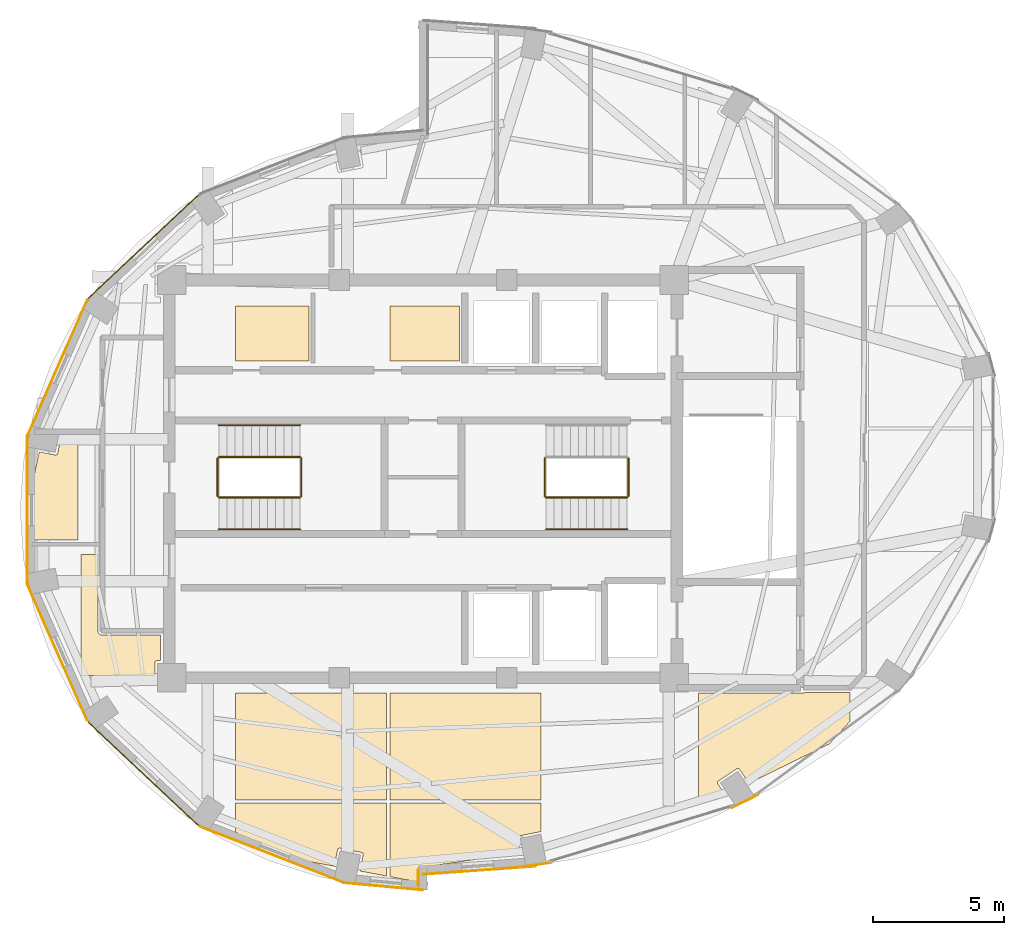
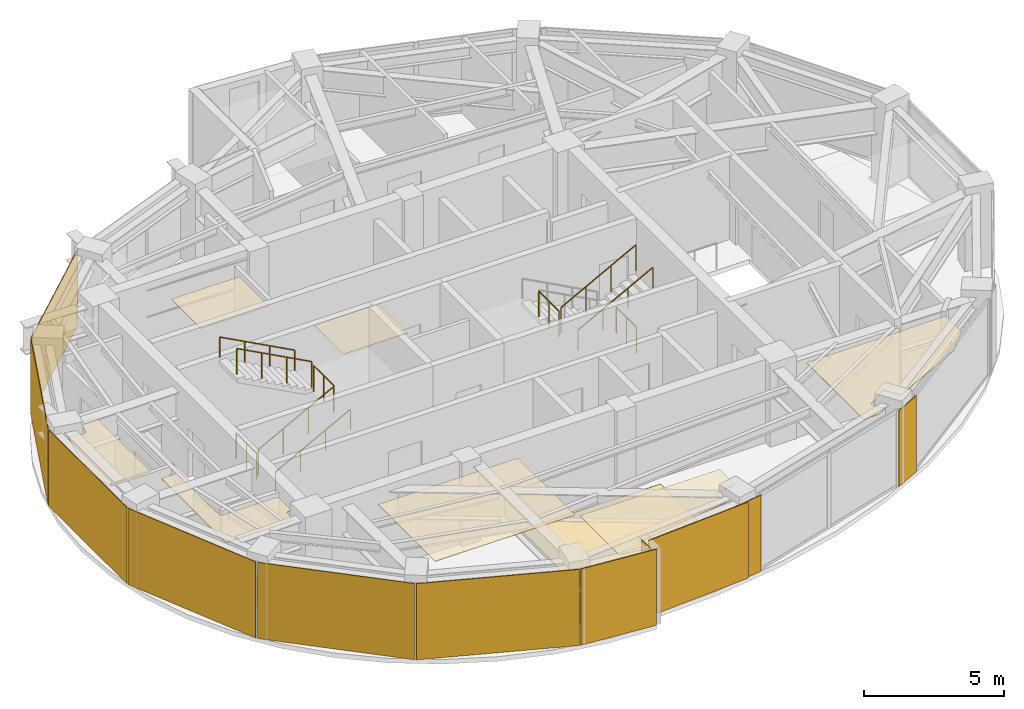
# One storey, part 12 of 13: 21 coverings, 10 railings.
"""IFC4 building model written with IfcOpenShell, lengths in metres."""

from ifc_helpers import new_model, si_unit, direction, frame, origin, origin_2d, place, context, subcontext, project, spatial, polyline, rectangle, circle, outline, extrude, material, layer, layer_set, type_object, element, save


model = new_model("IFC4")

# Units and contexts
model_context = context("Model", 3, precision=1e-05, world=origin(), true_north=direction((0.0, 1.0)))
body_context = subcontext(model_context, "Body", "Model", "MODEL_VIEW")
ifc_project = project(units=[si_unit("LENGTHUNIT", "METRE"), si_unit("AREAUNIT", "SQUARE_METRE"), si_unit("VOLUMEUNIT", "CUBIC_METRE"), si_unit("PLANEANGLEUNIT", "RADIAN"), si_unit("MASSUNIT", "GRAM", prefix="KILO")], contexts=[model_context])

# Site, building, storey
site_placement = place(None, origin())
site = spatial("IfcSite", under=ifc_project, at=site_placement, CompositionType="ELEMENT")
building_placement = place(site_placement, origin())
building = spatial("IfcBuilding", under=site, at=building_placement, Name="Lazwardi Medical Tower", CompositionType="ELEMENT")
storey_placement = place(building_placement, frame((0.0, 0.0, 298.800048828125)))
storey = spatial("IfcBuildingStorey", under=building, at=storey_placement, Name="L78", CompositionType="ELEMENT", Elevation=298.800048828125)

# Coverings
ifc_material_1 = material(Name="Anodised bronze aluminium cassette cladding", Category="aluminium")
ifc_layer_1 = layer(ifc_material_1, 0.030029296875)
ifc_layer_set_1 = layer_set([ifc_layer_1], Name="Anodised bronze aluminium cassette cladding")
covering_type_1 = type_object("IfcCoveringType", Name="COV-CLD-BRZ", PredefinedType="CLADDING", material=ifc_layer_set_1)
covering_1_placement = place(storey_placement, frame((40.3232421875, 13.25048828125, 0.0), z_axis=(0.0, 0.0, 1.0), x_axis=(0.989512431533, 0.144447733943, 0.0)))
element("IfcCovering", 1, at=covering_1_placement, inside=storey, type_object=covering_type_1, Name="L78 Mega-column bronze cassette cover M01", PredefinedType="CLADDING", context=body_context, shape_type="SweptSolid", body=[
    extrude(rectangle(XDim=1.188720703125, YDim=0.030029296875, at=origin_2d()), origin(), (0.0, 0.0, 1.0), 3.327880859375),
])
covering_2_placement = place(storey_placement, frame((48.311279296875, 15.6787109375, 0.0), z_axis=(0.0, 0.0, 1.0), x_axis=(0.897840141691, 0.440321564278, 0.0)))
element("IfcCovering", 2, at=covering_2_placement, inside=storey, type_object=covering_type_1, Name="L78 Mega-column bronze cassette cover M02", PredefinedType="CLADDING", context=body_context, shape_type="SweptSolid", body=[
    extrude(rectangle(XDim=1.110595703125, YDim=0.030029296875, at=origin_2d()), origin(), (0.0, 0.0, 1.0), 3.327880859375),
])
covering_3_placement = place(storey_placement, frame((25.31201171875, 36.870361328125, 0.0), z_axis=(0.0, 0.0, 1.0), x_axis=(-0.728254960063, -0.685306291481, 0.0)))
element("IfcCovering", 3, at=covering_3_placement, inside=storey, type_object=covering_type_1, Name="L78 West drum ceramic/bronze cladding", PredefinedType="CLADDING", context=body_context, shape_type="SweptSolid", body=[
    extrude(rectangle(XDim=5.78125, YDim=0.030029296875, at=origin_2d()), origin(), (0.0, 0.0, 1.0), 3.327880859375),
])
covering_4_placement = place(storey_placement, frame((22.032470703125, 32.25146484375, 0.0), z_axis=(0.0, 0.0, 1.0), x_axis=(-0.402877682365, -0.915253829848, 0.0)))
element("IfcCovering", 4, at=covering_4_placement, inside=storey, type_object=covering_type_1, Name="L78 West drum ceramic/bronze cladding", PredefinedType="CLADDING", context=body_context, shape_type="SweptSolid", body=[
    extrude(rectangle(XDim=5.65576171875, YDim=0.030029296875, at=origin_2d()), origin(), (0.0, 0.0, 1.0), 3.327880859375),
])
covering_5_placement = place(storey_placement, frame((20.880126953125, 26.800048828125, 0.0), z_axis=(0.0, 0.0, 1.0), x_axis=(0.0, -1.0, 0.0)))
element("IfcCovering", 5, at=covering_5_placement, inside=storey, type_object=covering_type_1, Name="L78 West drum ceramic/bronze cladding", PredefinedType="CLADDING", context=body_context, shape_type="SweptSolid", body=[
    extrude(rectangle(XDim=5.60302734375, YDim=0.030029296875, at=origin_2d()), origin(), (0.0, 0.0, 1.0), 3.327880859375),
])
covering_6_placement = place(storey_placement, frame((22.032470703125, 21.3486328125, 0.0), z_axis=(0.0, 0.0, 1.0), x_axis=(0.402877682365, -0.915253829848, 0.0)))
element("IfcCovering", 6, at=covering_6_placement, inside=storey, type_object=covering_type_1, Name="L78 West drum ceramic/bronze cladding", PredefinedType="CLADDING", context=body_context, shape_type="SweptSolid", body=[
    extrude(rectangle(XDim=5.65576171875, YDim=0.030029296875, at=origin_2d()), origin(), (0.0, 0.0, 1.0), 3.327880859375),
])
covering_7_placement = place(storey_placement, frame((25.31201171875, 16.7294921875, 0.0), z_axis=(0.0, 0.0, 1.0), x_axis=(0.728254960063, -0.685306291481, 0.0)))
element("IfcCovering", 7, at=covering_7_placement, inside=storey, type_object=covering_type_1, Name="L78 West drum ceramic/bronze cladding", PredefinedType="CLADDING", context=body_context, shape_type="SweptSolid", body=[
    extrude(rectangle(XDim=5.78125, YDim=0.030029296875, at=origin_2d()), origin(), (0.0, 0.0, 1.0), 3.327880859375),
])
ifc_material_2 = material(Name="Turquoise glazed ceramic tilework cladding", Category="masonry")
ifc_layer_2 = layer(ifc_material_2, 0.034912109375)
ifc_layer_set_2 = layer_set([ifc_layer_2], Name="Turquoise glazed ceramic tilework cladding")
covering_type_2 = type_object("IfcCoveringType", Name="COV-CLD-TRQ", PredefinedType="CLADDING", material=ifc_layer_set_2)
covering_8_placement = place(storey_placement, frame((30.216064453125, 13.64306640625, 0.0), z_axis=(0.0, 0.0, 1.0), x_axis=(0.931720388261, -0.363176428337, 0.0)))
element("IfcCovering", 8, at=covering_8_placement, inside=storey, type_object=covering_type_2, Name="L78 West drum ceramic/bronze cladding", PredefinedType="CLADDING", context=body_context, shape_type="SweptSolid", body=[
    extrude(rectangle(XDim=5.904052734375, YDim=0.034912109375, at=origin_2d()), origin(), (0.0, 0.0, 1.0), 3.327880859375),
])
covering_9_placement = place(storey_placement, frame((38.16259765625, 13.0400390625, 0.0), z_axis=(0.0, 0.0, 1.0), x_axis=(0.997409491337, 0.071932653157, 0.0)))
element("IfcCovering", 9, at=covering_9_placement, inside=storey, type_object=covering_type_2, Name="L78 Turquoise glazed ceramic tilework cladding", PredefinedType="CLADDING", context=body_context, shape_type="SweptSolid", body=[
    extrude(rectangle(XDim=4.31103515625, YDim=0.034912109375, at=origin_2d()), origin(), (0.0, 0.0, 1.0), 3.327880859375),
])
covering_10_placement = place(storey_placement, frame((34.4970703125, 12.423095703125, 0.0), z_axis=(0.0, 0.0, 1.0), x_axis=(0.995733560537, -0.092275004312, 0.0)))
element("IfcCovering", 10, at=covering_10_placement, inside=storey, type_object=covering_type_2, Name="L78 Turquoise glazed ceramic tilework cladding", PredefinedType="CLADDING", context=body_context, shape_type="SweptSolid", body=[
    extrude(rectangle(XDim=2.985595703125, YDim=0.034912109375, at=origin_2d()), origin(), (0.0, 0.0, 1.0), 3.327880859375),
])
covering_11_placement = place(storey_placement, frame((35.824462890625, 12.760009765625, 0.0), z_axis=(0.0, 0.0, 1.0), x_axis=(0.0, 1.0, 0.0)))
element("IfcCovering", 11, at=covering_11_placement, inside=storey, type_object=covering_type_2, Name="L78 Turquoise glazed ceramic tilework iwan panel", PredefinedType="CLADDING", context=body_context, shape_type="SweptSolid", body=[
    extrude(rectangle(XDim=0.60009765625, YDim=0.034912109375, at=origin_2d()), origin(), (0.0, 0.0, 1.0), 3.327880859375),
])
ifc_material_3 = material(Name="Acoustic mineral fibre tile")
ifc_layer_3 = layer(ifc_material_3, 0.02490234375)
ifc_layer_set_3 = layer_set([ifc_layer_3], Name="Acoustic mineral fibre tile")
covering_type_3 = type_object("IfcCoveringType", Name="COV-CLG-01", PredefinedType="CEILING", material=ifc_layer_set_3)
covering_12_placement = place(storey_placement, frame((0.0, 0.0, 3.182861328125)))
element("IfcCovering", 12, at=covering_12_placement, inside=storey, type_object=covering_type_3, Name="L78 Clinical Acoustic Ceiling 1", PredefinedType="CEILING", context=body_context, shape_type="SweptSolid", body=[
    extrude(outline(polyline([(22.811767578125, 29.60009765625), (22.164794921875, 29.60009765625), (22.0400390625, 28.97314453125), (22.0380859375, 28.965576171875), (22.035400390625, 28.9580078125), (22.031982421875, 28.950927734375), (22.028076171875, 28.9443359375), (22.023193359375, 28.93798828125), (22.01806640625, 28.93212890625), (22.01220703125, 28.927001953125), (22.005859375, 28.922119140625), (21.999267578125, 28.918212890625), (21.9921875, 28.914794921875), (21.984619140625, 28.912109375), (21.97705078125, 28.91015625), (21.96923828125, 28.9091796875), (21.96142578125, 28.90869140625), (21.95361328125, 28.9091796875), (21.94580078125, 28.91015625), (21.33349609375, 29.031982421875), (20.86181640625, 26.800048828125), (21.101806640625, 25.6650390625), (22.811767578125, 25.6650390625), (22.811767578125, 29.60009765625)])), origin(), (0.0, 0.0, 1.0), 0.025146484375),
])
covering_13_placement = place(storey_placement, frame((0.0, 0.0, 3.182861328125)))
element("IfcCovering", 13, at=covering_13_placement, inside=storey, type_object=covering_type_3, Name="L78 Clinical Acoustic Ceiling 2", PredefinedType="CEILING", context=body_context, shape_type="SweptSolid", body=[
    extrude(outline(polyline([(25.75, 20.476318359375), (25.75, 20.969970703125), (25.75048828125, 20.977783203125), (25.75146484375, 20.985595703125), (25.75341796875, 20.9931640625), (25.756103515625, 21.00048828125), (25.759521484375, 21.0078125), (25.763427734375, 21.014404296875), (25.768310546875, 21.020751953125), (25.7734375, 21.026611328125), (25.779296875, 21.03173828125), (25.78564453125, 21.03662109375), (25.792236328125, 21.04052734375), (25.79931640625, 21.0439453125), (25.806884765625, 21.046630859375), (25.814453125, 21.048583984375), (25.822265625, 21.049560546875), (25.830078125, 21.050048828125), (25.969970703125, 21.050048828125), (25.969970703125, 22.02490234375), (23.75, 22.02490234375), (23.74560546875, 22.025146484375), (23.736328125, 22.025634765625), (23.7294921875, 22.0263671875), (23.72021484375, 22.027587890625), (23.7119140625, 22.029296875), (23.702880859375, 22.031494140625), (23.69580078125, 22.03369140625), (23.68701171875, 22.03662109375), (23.67919921875, 22.0400390625), (23.6708984375, 22.0439453125), (23.6640625, 22.047607421875), (23.656005859375, 22.052490234375), (23.6494140625, 22.056884765625), (23.641845703125, 22.0625), (23.63623046875, 22.067138671875), (23.62939453125, 22.0732421875), (23.623291015625, 22.079345703125), (23.6171875, 22.086181640625), (23.612548828125, 22.091796875), (23.60693359375, 22.099365234375), (23.602294921875, 22.10595703125), (23.59765625, 22.114013671875), (23.593994140625, 22.120849609375), (23.590087890625, 22.129150390625), (23.586669921875, 22.136962890625), (23.58349609375, 22.145751953125), (23.58154296875, 22.15283203125), (23.5791015625, 22.161865234375), (23.57763671875, 22.17041015625), (23.576416015625, 22.179443359375), (23.57568359375, 22.186279296875), (23.5751953125, 22.19580078125), (23.574951171875, 22.199951171875), (23.574951171875, 25.1064453125), (22.931884765625, 25.1064453125), (22.931884765625, 20.476318359375), (25.75, 20.476318359375)])), origin(), (0.0, 0.0, 1.0), 0.025146484375),
])
covering_14_placement = place(storey_placement, frame((0.0, 0.0, 3.182861328125)))
element("IfcCovering", 14, at=covering_14_placement, inside=storey, type_object=covering_type_3, Name="L78 Clinical Acoustic Ceiling 4", PredefinedType="CEILING", context=body_context, shape_type="SweptSolid", body=[
    extrude(outline(polyline([(34.61181640625, 19.820068359375), (28.831787109375, 19.820068359375), (28.831787109375, 15.726318359375), (34.61181640625, 15.726318359375), (34.61181640625, 19.820068359375)])), origin(), (0.0, 0.0, 1.0), 0.025146484375),
])
covering_15_placement = place(storey_placement, frame((0.0, 0.0, 3.182861328125)))
element("IfcCovering", 15, at=covering_15_placement, inside=storey, type_object=covering_type_3, Name="L78 Clinical Acoustic Ceiling 5", PredefinedType="CEILING", context=body_context, shape_type="SweptSolid", body=[
    extrude(outline(polyline([(28.831787109375, 32.5), (31.639892578125, 32.5), (31.639892578125, 34.6064453125), (28.831787109375, 34.6064453125), (28.831787109375, 32.5)])), origin(), (0.0, 0.0, 1.0), 0.025146484375),
])
covering_16_placement = place(storey_placement, frame((0.0, 0.0, 3.182861328125)))
element("IfcCovering", 16, at=covering_16_placement, inside=storey, type_object=covering_type_3, Name="L78 Clinical Acoustic Ceiling 6", PredefinedType="CEILING", context=body_context, shape_type="SweptSolid", body=[
    extrude(outline(polyline([(34.731689453125, 12.798583984375), (35.919921875, 12.576416015625), (35.919921875, 13.080078125), (35.92041015625, 13.087646484375), (35.92138671875, 13.09521484375), (35.923095703125, 13.1025390625), (35.92578125, 13.109619140625), (35.928955078125, 13.11669921875), (35.9326171875, 13.123291015625), (35.93701171875, 13.12939453125), (35.94189453125, 13.13525390625), (35.947509765625, 13.140380859375), (35.95361328125, 13.14501953125), (35.9599609375, 13.149169921875), (35.966796875, 13.152587890625), (35.9736328125, 13.155517578125), (35.98095703125, 13.15771484375), (35.988525390625, 13.1591796875), (39.723876953125, 13.703125), (39.6123046875, 14.26318359375), (39.611328125, 14.27099609375), (39.61083984375, 14.27880859375), (39.611328125, 14.28662109375), (39.6123046875, 14.29443359375), (39.6142578125, 14.302001953125), (39.616943359375, 14.309326171875), (39.620361328125, 14.31640625), (39.62451171875, 14.3232421875), (39.629150390625, 14.32958984375), (39.63427734375, 14.33544921875), (39.64013671875, 14.340576171875), (39.646484375, 14.34521484375), (39.6533203125, 14.349365234375), (39.660400390625, 14.352783203125), (39.667724609375, 14.35546875), (39.67529296875, 14.357421875), (40.4990234375, 14.521240234375), (40.5068359375, 14.522216796875), (40.51171875, 14.522705078125), (40.51171875, 15.6064453125), (34.731689453125, 15.6064453125), (34.731689453125, 12.798583984375)])), origin(), (0.0, 0.0, 1.0), 0.025146484375),
])
covering_17_placement = place(storey_placement, frame((0.0, 0.0, 3.182861328125)))
element("IfcCovering", 17, at=covering_17_placement, inside=storey, type_object=covering_type_3, Name="L78 Clinical Acoustic Ceiling 8", PredefinedType="CEILING", context=body_context, shape_type="SweptSolid", body=[
    extrude(outline(polyline([(52.311767578125, 19.844970703125), (50.60791015625, 19.844970703125), (50.606689453125, 19.843505859375), (50.600830078125, 19.838134765625), (50.594482421875, 19.83349609375), (50.587646484375, 19.829345703125), (50.58056640625, 19.826171875), (50.5732421875, 19.823486328125), (50.565673828125, 19.821533203125), (50.557861328125, 19.8203125), (50.550048828125, 19.820068359375), (46.53173828125, 19.820068359375), (46.53173828125, 15.726318359375), (47.146240234375, 15.726318359375), (47.5478515625, 15.9228515625), (47.267822265625, 16.342041015625), (47.263916015625, 16.348876953125), (47.260498046875, 16.35595703125), (47.2578125, 16.36328125), (47.255859375, 16.370849609375), (47.2548828125, 16.378662109375), (47.25439453125, 16.386474609375), (47.2548828125, 16.394287109375), (47.255859375, 16.402099609375), (47.2578125, 16.40966796875), (47.260498046875, 16.4169921875), (47.263916015625, 16.42431640625), (47.267822265625, 16.430908203125), (47.272705078125, 16.437255859375), (47.27783203125, 16.443115234375), (47.28369140625, 16.4482421875), (47.2900390625, 16.452880859375), (47.98828125, 16.919677734375), (47.9951171875, 16.923828125), (48.002197265625, 16.927001953125), (48.009521484375, 16.9296875), (48.01708984375, 16.931640625), (48.02490234375, 16.932861328125), (48.03271484375, 16.93310546875), (48.04052734375, 16.932861328125), (48.04833984375, 16.931640625), (48.055908203125, 16.9296875), (48.0634765625, 16.927001953125), (48.070556640625, 16.923828125), (48.0771484375, 16.919677734375), (48.08349609375, 16.9150390625), (48.08935546875, 16.909912109375), (48.094482421875, 16.904052734375), (48.099365234375, 16.897705078125), (48.454345703125, 16.3662109375), (51.521728515625, 17.86669921875), (52.311767578125, 18.732177734375), (52.311767578125, 19.844970703125)])), origin(), (0.0, 0.0, 1.0), 0.025146484375),
])
ifc_material_4 = material(Name="Anti-static hospital vinyl sheet flooring")
ifc_layer_4 = layer(ifc_material_4, 0.014892578125)
ifc_layer_set_4 = layer_set([ifc_layer_4], Name="Anti-static hospital vinyl sheet flooring")
covering_type_4 = type_object("IfcCoveringType", Name="COV-FLR-01", PredefinedType="FLOORING", material=ifc_layer_set_4)
covering_18_placement = place(storey_placement, origin())
element("IfcCovering", 18, at=covering_18_placement, inside=storey, type_object=covering_type_4, Name="L78 Clinical Vinyl Flooring 1", PredefinedType="FLOORING", context=body_context, shape_type="SweptSolid", body=[
    extrude(outline(polyline([(25.75, 20.476318359375), (25.75, 20.969970703125), (25.75048828125, 20.977783203125), (25.75146484375, 20.985595703125), (25.75341796875, 20.9931640625), (25.756103515625, 21.00048828125), (25.759521484375, 21.0078125), (25.763427734375, 21.014404296875), (25.768310546875, 21.020751953125), (25.7734375, 21.026611328125), (25.779296875, 21.03173828125), (25.78564453125, 21.03662109375), (25.792236328125, 21.04052734375), (25.79931640625, 21.0439453125), (25.806884765625, 21.046630859375), (25.814453125, 21.048583984375), (25.822265625, 21.049560546875), (25.830078125, 21.050048828125), (25.969970703125, 21.050048828125), (25.969970703125, 22.02490234375), (23.75, 22.02490234375), (23.74560546875, 22.025146484375), (23.736328125, 22.025634765625), (23.7294921875, 22.0263671875), (23.72021484375, 22.027587890625), (23.7119140625, 22.029296875), (23.702880859375, 22.031494140625), (23.69580078125, 22.03369140625), (23.68701171875, 22.03662109375), (23.67919921875, 22.0400390625), (23.6708984375, 22.0439453125), (23.6640625, 22.047607421875), (23.656005859375, 22.052490234375), (23.6494140625, 22.056884765625), (23.641845703125, 22.0625), (23.63623046875, 22.067138671875), (23.62939453125, 22.0732421875), (23.623291015625, 22.079345703125), (23.6171875, 22.086181640625), (23.612548828125, 22.091796875), (23.60693359375, 22.099365234375), (23.602294921875, 22.10595703125), (23.59765625, 22.114013671875), (23.593994140625, 22.120849609375), (23.590087890625, 22.129150390625), (23.586669921875, 22.136962890625), (23.58349609375, 22.145751953125), (23.58154296875, 22.15283203125), (23.5791015625, 22.161865234375), (23.57763671875, 22.17041015625), (23.576416015625, 22.179443359375), (23.57568359375, 22.186279296875), (23.5751953125, 22.19580078125), (23.574951171875, 22.199951171875), (23.574951171875, 25.1064453125), (22.931884765625, 25.1064453125), (22.931884765625, 20.476318359375), (25.75, 20.476318359375)])), origin(), (0.0, 0.0, 1.0), 0.014892578125),
])
covering_19_placement = place(storey_placement, origin())
element("IfcCovering", 19, at=covering_19_placement, inside=storey, type_object=covering_type_4, Name="L78 Clinical Vinyl Flooring 3", PredefinedType="FLOORING", context=body_context, shape_type="SweptSolid", body=[
    extrude(outline(polyline([(28.831787109375, 14.50927734375), (30.205322265625, 13.645751953125), (32.608642578125, 13.196044921875), (32.7333984375, 13.82373046875), (32.7353515625, 13.831298828125), (32.738037109375, 13.838623046875), (32.741455078125, 13.845703125), (32.74560546875, 13.8525390625), (32.750244140625, 13.85888671875), (32.75537109375, 13.86474609375), (32.76123046875, 13.869873046875), (32.767578125, 13.87451171875), (32.7744140625, 13.878662109375), (32.781494140625, 13.882080078125), (32.788818359375, 13.884765625), (32.79638671875, 13.88671875), (32.80419921875, 13.8876953125), (32.81201171875, 13.88818359375), (32.81982421875, 13.8876953125), (32.82763671875, 13.88671875), (33.6513671875, 13.72265625), (33.658935546875, 13.720703125), (33.66650390625, 13.718017578125), (33.673583984375, 13.71484375), (33.68017578125, 13.710693359375), (33.6865234375, 13.7060546875), (33.6923828125, 13.70068359375), (33.697509765625, 13.695068359375), (33.702392578125, 13.688720703125), (33.706298828125, 13.681884765625), (33.709716796875, 13.6748046875), (33.71240234375, 13.66748046875), (33.71435546875, 13.659912109375), (33.71533203125, 13.652099609375), (33.7158203125, 13.644287109375), (33.71533203125, 13.636474609375), (33.71435546875, 13.628662109375), (33.591552734375, 13.01220703125), (34.61181640625, 12.8212890625), (34.61181640625, 15.6064453125), (28.831787109375, 15.6064453125), (28.831787109375, 14.50927734375)])), origin(), (0.0, 0.0, 1.0), 0.014892578125),
])
covering_20_placement = place(storey_placement, origin())
element("IfcCovering", 20, at=covering_20_placement, inside=storey, type_object=covering_type_4, Name="L78 Clinical Vinyl Flooring 5", PredefinedType="FLOORING", context=body_context, shape_type="SweptSolid", body=[
    extrude(outline(polyline([(40.51171875, 19.820068359375), (34.731689453125, 19.820068359375), (34.731689453125, 15.726318359375), (40.51171875, 15.726318359375), (40.51171875, 19.820068359375)])), origin(), (0.0, 0.0, 1.0), 0.014892578125),
])
covering_21_placement = place(storey_placement, origin())
element("IfcCovering", 21, at=covering_21_placement, inside=storey, type_object=covering_type_4, Name="L78 Clinical Vinyl Flooring 6", PredefinedType="FLOORING", context=body_context, shape_type="SweptSolid", body=[
    extrude(outline(polyline([(34.731689453125, 32.5), (37.389892578125, 32.5), (37.389892578125, 34.6064453125), (34.731689453125, 34.6064453125), (34.731689453125, 32.5)])), origin(), (0.0, 0.0, 1.0), 0.014892578125),
])

# Railings
ifc_material_5 = material(Name="Stainless steel Grade 316", Category="steel")
railing_type_1 = type_object("IfcRailingType", Name="RLG-GRD-1150", PredefinedType="GUARDRAIL", material=ifc_material_5)
railing_1_placement = place(storey_placement, frame((28.199951171875, 27.2900390625, 0.165771484375)))
element("IfcRailing", 22, at=railing_1_placement, inside=storey, type_object=railing_type_1, Name="L78 ST1 stair guard 1", PredefinedType="GUARDRAIL", context=body_context, shape_type="SweptSolid", body=[
    extrude(circle(Radius=0.02392578125, at=origin_2d()), frame((0.0, 0.0, 1.1259765625), z_axis=(0.881783298633, 0.0, 0.471654761719), x_axis=(0.0, 1.0, 0.0)), (0.0, 0.0, 1.0), 3.515625),
    extrude(circle(Radius=0.02099609375, at=origin_2d()), origin(), (0.0, 0.0, 1.0), 1.099853515625),
    extrude(circle(Radius=0.02099609375, at=origin_2d()), frame((1.033447265625, 0.0, 0.552734375)), (0.0, 0.0, 1.0), 1.099853515625),
    extrude(circle(Radius=0.02099609375, at=origin_2d()), frame((2.066650390625, 0.0, 1.10546875)), (0.0, 0.0, 1.0), 1.099853515625),
    extrude(circle(Radius=0.02099609375, at=origin_2d()), frame((3.10009765625, 0.0, 1.658203125)), (0.0, 0.0, 1.0), 1.099853515625),
])
railing_2_placement = place(storey_placement, frame((31.35009765625, 27.340087890625, 1.823974609375)))
element("IfcRailing", 23, at=railing_2_placement, inside=storey, type_object=railing_type_1, Name="L78 ST1 stair guard 2", PredefinedType="GUARDRAIL", context=body_context, shape_type="SweptSolid", body=[
    extrude(circle(Radius=0.02392578125, at=origin_2d()), frame((0.0, 0.0, 1.1259765625), z_axis=(0.0, 1.0, 0.0), x_axis=(-1.0, 0.0, 0.0)), (0.0, 0.0, 1.0), 1.43994140625),
    extrude(circle(Radius=0.02099609375, at=origin_2d()), origin(), (0.0, 0.0, 1.0), 1.099853515625),
    extrude(circle(Radius=0.02099609375, at=origin_2d()), frame((0.0, 0.719970703125, 0.0)), (0.0, 0.0, 1.0), 1.099853515625),
    extrude(circle(Radius=0.02099609375, at=origin_2d()), frame((0.0, 1.43994140625, 0.0)), (0.0, 0.0, 1.0), 1.099853515625),
])
railing_3_placement = place(storey_placement, frame((31.300048828125, 28.830078125, 1.98974609375)))
element("IfcRailing", 24, at=railing_3_placement, inside=storey, type_object=railing_type_1, Name="L78 ST1 stair guard 3", PredefinedType="GUARDRAIL", context=body_context, shape_type="SweptSolid", body=[
    extrude(circle(Radius=0.02392578125, at=origin_2d()), frame((0.0, 0.0, 1.1259765625), z_axis=(-0.881783298633, 0.0, 0.471654761719), x_axis=(0.0, -1.0, 0.0)), (0.0, 0.0, 1.0), 3.515625),
    extrude(circle(Radius=0.02099609375, at=origin_2d()), origin(), (0.0, 0.0, 1.0), 1.099853515625),
    extrude(circle(Radius=0.02099609375, at=origin_2d()), frame((-1.033447265625, 0.0, 0.552734375)), (0.0, 0.0, 1.0), 1.099853515625),
    extrude(circle(Radius=0.02099609375, at=origin_2d()), frame((-2.066650390625, 0.0, 1.10546875)), (0.0, 0.0, 1.0), 1.099853515625),
    extrude(circle(Radius=0.02099609375, at=origin_2d()), frame((-3.10009765625, 0.0, 1.658203125)), (0.0, 0.0, 1.0), 1.099853515625),
])
railing_4_placement = place(storey_placement, frame((28.14990234375, 27.340087890625, 0.0)))
element("IfcRailing", 25, at=railing_4_placement, inside=storey, type_object=railing_type_1, Name="L78 ST1 stair guard 4", PredefinedType="GUARDRAIL", context=body_context, shape_type="SweptSolid", body=[
    extrude(circle(Radius=0.02392578125, at=origin_2d()), frame((0.0, 0.0, 1.1259765625), z_axis=(0.0, 1.0, 0.0), x_axis=(-1.0, 0.0, 0.0)), (0.0, 0.0, 1.0), 1.43994140625),
    extrude(circle(Radius=0.02099609375, at=origin_2d()), origin(), (0.0, 0.0, 1.0), 1.099853515625),
    extrude(circle(Radius=0.02099609375, at=origin_2d()), frame((0.0, 0.719970703125, 0.0)), (0.0, 0.0, 1.0), 1.099853515625),
    extrude(circle(Radius=0.02099609375, at=origin_2d()), frame((0.0, 1.43994140625, 0.0)), (0.0, 0.0, 1.0), 1.099853515625),
])
railing_5_placement = place(storey_placement, frame((40.64990234375, 28.780029296875, 1.823974609375)))
element("IfcRailing", 26, at=railing_5_placement, inside=storey, type_object=railing_type_1, Name="L78 ST2 stair guard 2", PredefinedType="GUARDRAIL", context=body_context, shape_type="SweptSolid", body=[
    extrude(circle(Radius=0.02392578125, at=origin_2d()), frame((0.0, 0.0, 1.1259765625), z_axis=(0.0, -1.0, 0.0), x_axis=(1.0, 0.0, 0.0)), (0.0, 0.0, 1.0), 1.43994140625),
    extrude(circle(Radius=0.02099609375, at=origin_2d()), origin(), (0.0, 0.0, 1.0), 1.099853515625),
    extrude(circle(Radius=0.02099609375, at=origin_2d()), frame((0.0, -0.719970703125, 0.0)), (0.0, 0.0, 1.0), 1.099853515625),
    extrude(circle(Radius=0.02099609375, at=origin_2d()), frame((0.0, -1.43994140625, 0.0)), (0.0, 0.0, 1.0), 1.099853515625),
])
railing_6_placement = place(storey_placement, frame((40.699951171875, 27.2900390625, 1.98974609375)))
element("IfcRailing", 27, at=railing_6_placement, inside=storey, type_object=railing_type_1, Name="L78 ST2 stair guard 3", PredefinedType="GUARDRAIL", context=body_context, shape_type="SweptSolid", body=[
    extrude(circle(Radius=0.02392578125, at=origin_2d()), frame((0.0, 0.0, 1.1259765625), z_axis=(0.881783298633, 0.0, 0.471654761719), x_axis=(0.0, 1.0, 0.0)), (0.0, 0.0, 1.0), 3.515625),
    extrude(circle(Radius=0.02099609375, at=origin_2d()), origin(), (0.0, 0.0, 1.0), 1.099853515625),
    extrude(circle(Radius=0.02099609375, at=origin_2d()), frame((1.033447265625, 0.0, 0.552734375)), (0.0, 0.0, 1.0), 1.099853515625),
    extrude(circle(Radius=0.02099609375, at=origin_2d()), frame((2.066650390625, 0.0, 1.10546875)), (0.0, 0.0, 1.0), 1.099853515625),
    extrude(circle(Radius=0.02099609375, at=origin_2d()), frame((3.10009765625, 0.0, 1.658203125)), (0.0, 0.0, 1.0), 1.099853515625),
])
railing_7_placement = place(storey_placement, frame((43.85009765625, 28.780029296875, 0.0)))
element("IfcRailing", 28, at=railing_7_placement, inside=storey, type_object=railing_type_1, Name="L78 ST2 stair guard 4", PredefinedType="GUARDRAIL", context=body_context, shape_type="SweptSolid", body=[
    extrude(circle(Radius=0.02392578125, at=origin_2d()), frame((0.0, 0.0, 1.1259765625), z_axis=(0.0, -1.0, 0.0), x_axis=(1.0, 0.0, 0.0)), (0.0, 0.0, 1.0), 1.43994140625),
    extrude(circle(Radius=0.02099609375, at=origin_2d()), origin(), (0.0, 0.0, 1.0), 1.099853515625),
    extrude(circle(Radius=0.02099609375, at=origin_2d()), frame((0.0, -0.719970703125, 0.0)), (0.0, 0.0, 1.0), 1.099853515625),
    extrude(circle(Radius=0.02099609375, at=origin_2d()), frame((0.0, -1.43994140625, 0.0)), (0.0, 0.0, 1.0), 1.099853515625),
])
railing_type_2 = type_object("IfcRailingType", Name="RLG-HND-920", PredefinedType="HANDRAIL", material=ifc_material_5)
railing_8_placement = place(storey_placement, frame((28.199951171875, 26.070068359375, 0.165771484375)))
element("IfcRailing", 29, at=railing_8_placement, inside=storey, type_object=railing_type_2, Name="L78 ST1 stair handrail 1", PredefinedType="HANDRAIL", context=body_context, shape_type="SweptSolid", body=[
    extrude(circle(Radius=0.02392578125, at=origin_2d()), frame((0.0, 0.0, 0.8857421875), z_axis=(0.881783298633, 0.0, 0.471654761719), x_axis=(0.0, 1.0, 0.0)), (0.0, 0.0, 1.0), 3.515625),
    extrude(circle(Radius=0.02099609375, at=origin_2d()), origin(), (0.0, 0.0, 1.0), 0.85986328125),
    extrude(circle(Radius=0.02099609375, at=origin_2d()), frame((1.033447265625, 0.0, 0.552734375)), (0.0, 0.0, 1.0), 0.85986328125),
    extrude(circle(Radius=0.02099609375, at=origin_2d()), frame((2.066650390625, 0.0, 1.10546875)), (0.0, 0.0, 1.0), 0.85986328125),
    extrude(circle(Radius=0.02099609375, at=origin_2d()), frame((3.10009765625, 0.0, 1.658203125)), (0.0, 0.0, 1.0), 0.85986328125),
])
railing_9_placement = place(storey_placement, frame((31.300048828125, 30.050048828125, 1.98974609375)))
element("IfcRailing", 30, at=railing_9_placement, inside=storey, type_object=railing_type_2, Name="L78 ST1 stair handrail 2", PredefinedType="HANDRAIL", context=body_context, shape_type="SweptSolid", body=[
    extrude(circle(Radius=0.02392578125, at=origin_2d()), frame((0.0, 0.0, 0.8857421875), z_axis=(-0.881783298633, 0.0, 0.471654761719), x_axis=(0.0, -1.0, 0.0)), (0.0, 0.0, 1.0), 3.515625),
    extrude(circle(Radius=0.02099609375, at=origin_2d()), origin(), (0.0, 0.0, 1.0), 0.85986328125),
    extrude(circle(Radius=0.02099609375, at=origin_2d()), frame((-1.033447265625, 0.0, 0.552734375)), (0.0, 0.0, 1.0), 0.85986328125),
    extrude(circle(Radius=0.02099609375, at=origin_2d()), frame((-2.066650390625, 0.0, 1.10546875)), (0.0, 0.0, 1.0), 0.85986328125),
    extrude(circle(Radius=0.02099609375, at=origin_2d()), frame((-3.10009765625, 0.0, 1.658203125)), (0.0, 0.0, 1.0), 0.85986328125),
])
railing_10_placement = place(storey_placement, frame((40.699951171875, 26.070068359375, 1.98974609375)))
element("IfcRailing", 31, at=railing_10_placement, inside=storey, type_object=railing_type_2, Name="L78 ST2 stair handrail 2", PredefinedType="HANDRAIL", context=body_context, shape_type="SweptSolid", body=[
    extrude(circle(Radius=0.02392578125, at=origin_2d()), frame((0.0, 0.0, 0.8857421875), z_axis=(0.881783298633, 0.0, 0.471654761719), x_axis=(0.0, 1.0, 0.0)), (0.0, 0.0, 1.0), 3.515625),
    extrude(circle(Radius=0.02099609375, at=origin_2d()), origin(), (0.0, 0.0, 1.0), 0.85986328125),
    extrude(circle(Radius=0.02099609375, at=origin_2d()), frame((1.033447265625, 0.0, 0.552734375)), (0.0, 0.0, 1.0), 0.85986328125),
    extrude(circle(Radius=0.02099609375, at=origin_2d()), frame((2.066650390625, 0.0, 1.10546875)), (0.0, 0.0, 1.0), 0.85986328125),
    extrude(circle(Radius=0.02099609375, at=origin_2d()), frame((3.10009765625, 0.0, 1.658203125)), (0.0, 0.0, 1.0), 0.85986328125),
])

save(model, "model.ifc")
